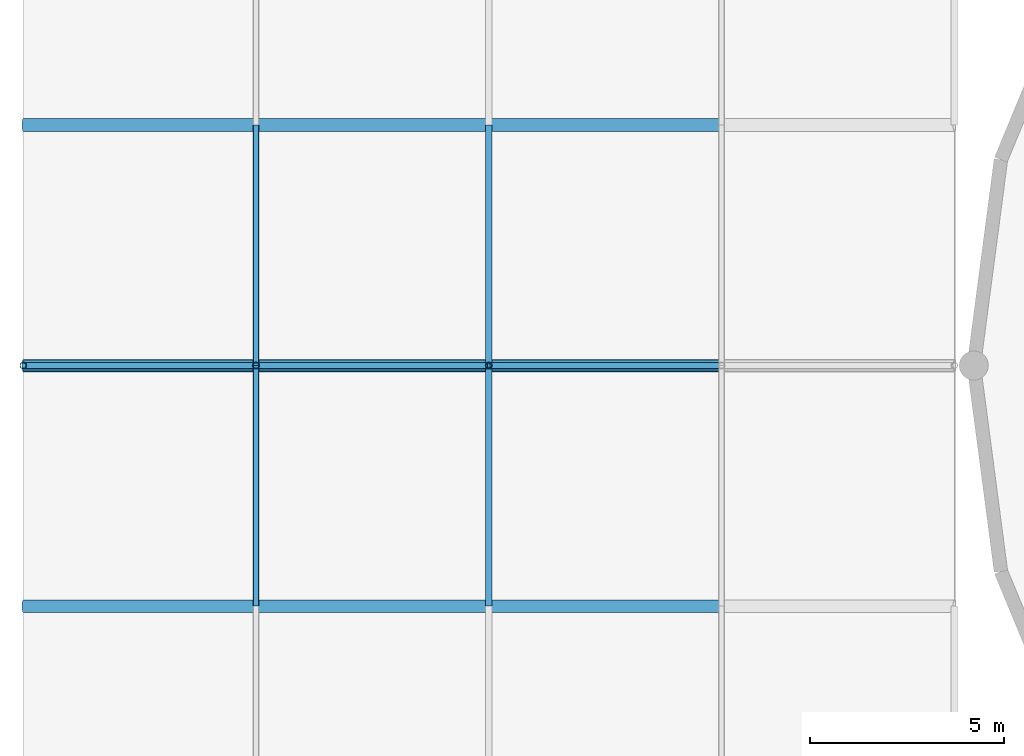
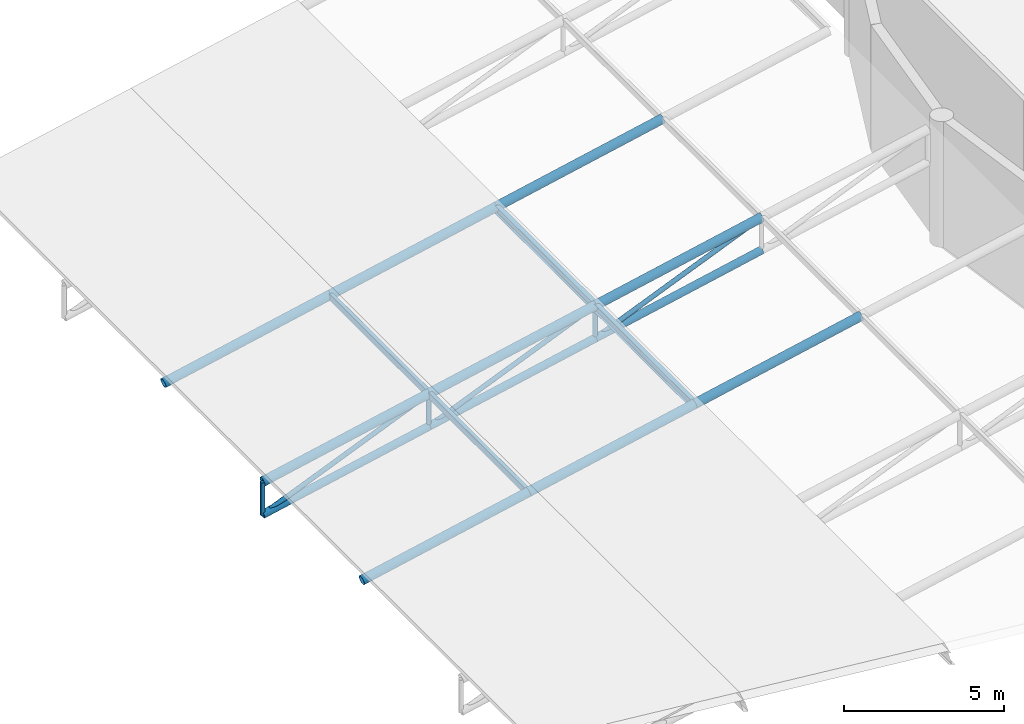
# One storey, part 17 of 48: 22 members.
"""IFC4 building model written with IfcOpenShell, lengths in metres."""

from ifc_helpers import new_model, si_unit, direction, frame, origin, origin_2d, place, context, subcontext, project, spatial, hollow_rectangle, hollow_circle, i_section, extrude, material, material_profile, profile_set, type_object, element, save


model = new_model("IFC4")

# Units and contexts
model_context = context("Model", 3, precision=1e-05, world=origin(), true_north=direction((0.0, 1.0)))
body_context = subcontext(model_context, "Body", "Model", "MODEL_VIEW")
ifc_project = project(units=[si_unit("LENGTHUNIT", "METRE"), si_unit("AREAUNIT", "SQUARE_METRE"), si_unit("VOLUMEUNIT", "CUBIC_METRE"), si_unit("PLANEANGLEUNIT", "RADIAN"), si_unit("MASSUNIT", "GRAM", prefix="KILO")], contexts=[model_context])

# Site, building, storey
site_placement = place(None, origin())
site = spatial("IfcSite", under=ifc_project, at=site_placement, CompositionType="ELEMENT")
building_placement = place(site_placement, origin())
building = spatial("IfcBuilding", under=site, at=building_placement, Name="Mirzam Square Science Centre", CompositionType="ELEMENT")
storey_placement = place(building_placement, frame((0.0, 0.0, 20.39990234375)))
storey = spatial("IfcBuildingStorey", under=building, at=storey_placement, Name="L04", CompositionType="ELEMENT", Elevation=20.39990234375)

# Members
ifc_material = material(Name="Steel S355", Category="steel")
ifc_material_profile_1 = material_profile(ifc_material, hollow_circle(Radius=0.084228515625, WallThickness=0.008056640625, at=origin_2d()), Name="168.3x8.0CHS")
ifc_profile_set_1 = profile_set([ifc_material_profile_1], Name="Steel S355")
member_type_1 = type_object("IfcMemberType", Name="BR-CHS168", PredefinedType="BRACE", material=ifc_profile_set_1)
member_1_placement = place(storey_placement, frame((36.0, 62.0, -1.865478515625), z_axis=(0.922529582988, 0.0, 0.385926377063), x_axis=(0.0, 1.0, 0.0)))
element("IfcMember", 1, at=member_1_placement, inside=storey, type_object=member_type_1, Name="Wedge truss web diagonal Y11 bay 7", PredefinedType="BRACE", context=body_context, shape_type="SweptSolid", body=[
    extrude(hollow_circle(Radius=0.084228515625, WallThickness=0.008056640625, at=origin_2d()), origin(), (0.0, 0.0, 1.0), 6.50390625),
])
member_2_placement = place(storey_placement, frame((36.0, 62.0, -1.865478515625), z_axis=(0.0, 0.0, 1.0), x_axis=(1.0, 0.0, 0.0)))
element("IfcMember", 2, at=member_2_placement, inside=storey, type_object=member_type_1, Name="Wedge truss post Y11 bay 7", PredefinedType="BRACE", context=body_context, shape_type="SweptSolid", body=[
    extrude(hollow_circle(Radius=0.084228515625, WallThickness=0.008056640625, at=origin_2d()), origin(), (0.0, 0.0, 1.0), 1.25),
])
member_3_placement = place(storey_placement, frame((42.0, 62.0, -0.60546875), z_axis=(0.922529582988, 0.0, 0.385926377063), x_axis=(0.0, 1.0, 0.0)))
element("IfcMember", 3, at=member_3_placement, inside=storey, type_object=member_type_1, Name="Wedge truss web diagonal Y11 bay 8", PredefinedType="BRACE", context=body_context, shape_type="SweptSolid", body=[
    extrude(hollow_circle(Radius=0.084228515625, WallThickness=0.008056640625, at=origin_2d()), origin(), (0.0, 0.0, 1.0), 6.50390625),
])
member_4_placement = place(storey_placement, frame((42.0, 62.0, -0.60546875), z_axis=(0.0, 0.0, 1.0), x_axis=(1.0, 0.0, 0.0)))
element("IfcMember", 4, at=member_4_placement, inside=storey, type_object=member_type_1, Name="Wedge truss post Y11 bay 8", PredefinedType="BRACE", context=body_context, shape_type="SweptSolid", body=[
    extrude(hollow_circle(Radius=0.084228515625, WallThickness=0.008056640625, at=origin_2d()), origin(), (0.0, 0.0, 1.0), 1.25),
])
member_5_placement = place(storey_placement, frame((48.0, 62.0, 0.654541015625), z_axis=(0.922529582988, 0.0, 0.385926377063), x_axis=(0.0, 1.0, 0.0)))
element("IfcMember", 5, at=member_5_placement, inside=storey, type_object=member_type_1, Name="Wedge truss web diagonal Y11 bay 9", PredefinedType="BRACE", context=body_context, shape_type="SweptSolid", body=[
    extrude(hollow_circle(Radius=0.084228515625, WallThickness=0.008056640625, at=origin_2d()), origin(), (0.0, 0.0, 1.0), 6.50390625),
])
member_6_placement = place(storey_placement, frame((48.0, 62.0, 0.654541015625), z_axis=(0.0, 0.0, 1.0), x_axis=(1.0, 0.0, 0.0)))
element("IfcMember", 6, at=member_6_placement, inside=storey, type_object=member_type_1, Name="Wedge truss post Y11 bay 9", PredefinedType="BRACE", context=body_context, shape_type="SweptSolid", body=[
    extrude(hollow_circle(Radius=0.084228515625, WallThickness=0.008056640625, at=origin_2d()), origin(), (0.0, 0.0, 1.0), 1.25),
])
ifc_material_profile_2 = material_profile(ifc_material, hollow_circle(Radius=0.136474609375, WallThickness=0.010009765625, at=origin_2d()), Name="273.0x10.0CHS")
ifc_profile_set_2 = profile_set([ifc_material_profile_2], Name="Steel S355")
member_type_2 = type_object("IfcMemberType", Name="CH-CHS273", PredefinedType="CHORD", material=ifc_profile_set_2)
for number, where, z_axis, x_axis, name in (
    (7, (36.0, 62.0, -1.865478515625), (0.978653176229, 0.0, 0.205518759868), (0.0, 1.0, 0.0), "Wedge truss bottom chord Y11 bay 7"),
    (8, (42.0, 62.0, -0.60546875), (0.978653176229, 0.0, 0.205518759868), (0.0, 1.0, 0.0), "Wedge truss bottom chord Y11 bay 8"),
    (9, (48.0, 62.0, 0.654541015625), (0.978653176229, 0.0, 0.205518759868), (0.0, 1.0, 0.0), "Wedge truss bottom chord Y11 bay 9"),
):
    element("IfcMember", number, at=place(storey_placement, frame(where, z_axis=z_axis, x_axis=x_axis)), inside=storey, type_object=member_type_2, Name=name, PredefinedType="CHORD", context=body_context, shape_type="SweptSolid", body=[
        extrude(hollow_circle(Radius=0.136474609375, WallThickness=0.010009765625, at=origin_2d()), origin(), (0.0, 0.0, 1.0), 6.130859375),
    ])
ifc_material_profile_3 = material_profile(ifc_material, hollow_circle(Radius=0.161865234375, WallThickness=0.012451171875, at=origin_2d()), Name="323.9x12.5CHS")
ifc_profile_set_3 = profile_set([ifc_material_profile_3], Name="Steel S355")
member_type_3 = type_object("IfcMemberType", Name="CH-CHS324", PredefinedType="CHORD", material=ifc_profile_set_3)
for number, where, z_axis, x_axis, name in (
    (10, (36.0, 55.800048828125, -0.615478515625), (0.978653176229, 0.0, 0.205518759868), (0.0, 1.0, 0.0), "Wedge truss top chord Y10 bay 7"),
    (11, (42.0, 55.800048828125, 0.64453125), (0.978653176229, 0.0, 0.205518759868), (0.0, 1.0, 0.0), "Wedge truss top chord Y10 bay 8"),
    (12, (48.0, 55.800048828125, 1.904541015625), (0.978653176229, 0.0, 0.205518759868), (0.0, 1.0, 0.0), "Wedge truss top chord Y10 bay 9"),
    (13, (36.0, 62.0, -0.615478515625), (0.978653176229, 0.0, 0.205518759868), (0.0, 1.0, 0.0), "Wedge truss top chord Y11 bay 7"),
    (14, (42.0, 62.0, 0.64453125), (0.978653176229, 0.0, 0.205518759868), (0.0, 1.0, 0.0), "Wedge truss top chord Y11 bay 8"),
    (15, (48.0, 62.0, 1.904541015625), (0.978653176229, 0.0, 0.205518759868), (0.0, 1.0, 0.0), "Wedge truss top chord Y11 bay 9"),
    (16, (36.0, 68.199951171875, -0.615478515625), (0.978653176229, 0.0, 0.205518759868), (0.0, 1.0, 0.0), "Wedge truss top chord Y12 bay 7"),
    (17, (42.0, 68.199951171875, 0.64453125), (0.978653176229, 0.0, 0.205518759868), (0.0, 1.0, 0.0), "Wedge truss top chord Y12 bay 8"),
    (18, (48.0, 68.199951171875, 1.904541015625), (0.978653176229, 0.0, 0.205518759868), (0.0, 1.0, 0.0), "Wedge truss top chord Y12 bay 9"),
):
    element("IfcMember", number, at=place(storey_placement, frame(where, z_axis=z_axis, x_axis=x_axis)), inside=storey, type_object=member_type_3, Name=name, PredefinedType="CHORD", context=body_context, shape_type="SweptSolid", body=[
        extrude(hollow_circle(Radius=0.161865234375, WallThickness=0.012451171875, at=origin_2d()), origin(), (0.0, 0.0, 1.0), 6.130859375),
    ])
ifc_material_profile_4 = material_profile(ifc_material, hollow_rectangle(XDim=0.14990234375, YDim=0.25, WallThickness=0.010009765625, InnerFilletRadius=0.010009765625, OuterFilletRadius=0.02001953125, at=origin_2d()), Name="250x150x10.0RHS")
ifc_profile_set_4 = profile_set([ifc_material_profile_4], Name="Steel S355")
member_type_4 = type_object("IfcMemberType", Name="RF-RHS250", PredefinedType="RAFTER", material=ifc_profile_set_4)
for number, where, z_axis, x_axis, name in (
    (19, (42.0, 55.800048828125, 0.6474609375), (0.0, 1.0, 0.0), (-1.0, 0.0, 0.0), "Wedge roof rafter X8-10"),
    (20, (42.0, 62.0, 0.6474609375), (0.0, 1.0, 0.0), (-1.0, 0.0, 0.0), "Wedge roof rafter X8-11"),
):
    element("IfcMember", number, at=place(storey_placement, frame(where, z_axis=z_axis, x_axis=x_axis)), inside=storey, type_object=member_type_4, Name=name, PredefinedType="RAFTER", context=body_context, shape_type="SweptSolid", body=[
        extrude(hollow_rectangle(XDim=0.14990234375, YDim=0.25, WallThickness=0.010009765625, InnerFilletRadius=0.010009765625, OuterFilletRadius=0.02001953125, at=origin_2d()), origin(), (0.0, 0.0, 1.0), 6.199951171875),
    ])
ifc_material_profile_5 = material_profile(ifc_material, i_section(OverallWidth=0.165771484375, OverallDepth=0.306640625, WebThickness=0.006591796875, FlangeThickness=0.01171875, FilletRadius=0.0087890625, at=origin_2d()), Name="305x165x46UB")
ifc_profile_set_5 = profile_set([ifc_material_profile_5], Name="Steel S355")
member_type_5 = type_object("IfcMemberType", Name="RF-UB305", PredefinedType="RAFTER", material=ifc_profile_set_5)
for number, where, z_axis, x_axis, name in (
    (21, (48.0, 55.800048828125, 1.87841796875), (0.0, 1.0, 0.0), (-1.0, 0.0, 0.0), "Wedge roof rafter X9-10"),
    (22, (48.0, 62.0, 1.87841796875), (0.0, 1.0, 0.0), (-1.0, 0.0, 0.0), "Wedge roof rafter X9-11"),
):
    element("IfcMember", number, at=place(storey_placement, frame(where, z_axis=z_axis, x_axis=x_axis)), inside=storey, type_object=member_type_5, Name=name, PredefinedType="RAFTER", context=body_context, shape_type="SweptSolid", body=[
        extrude(i_section(OverallWidth=0.165771484375, OverallDepth=0.306640625, WebThickness=0.006591796875, FlangeThickness=0.01171875, FilletRadius=0.0087890625, at=origin_2d()), origin(), (0.0, 0.0, 1.0), 6.199951171875),
    ])

save(model, "model.ifc")
